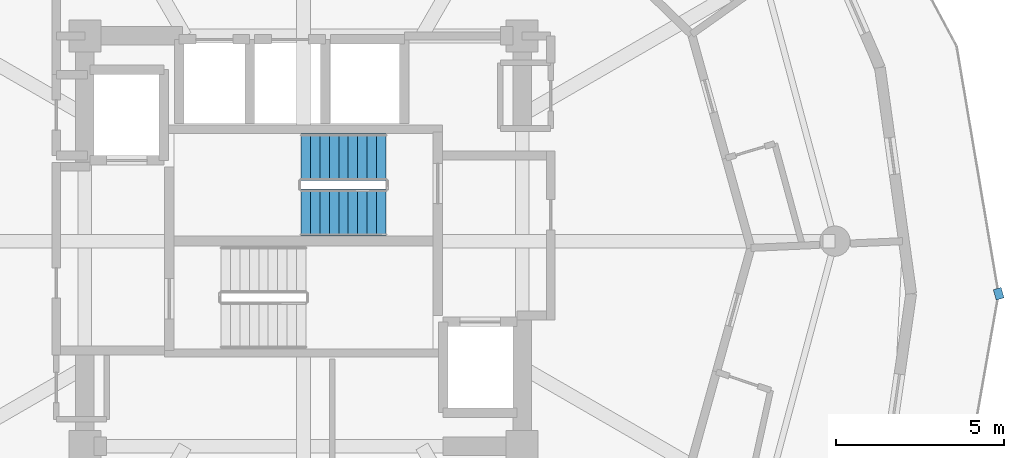
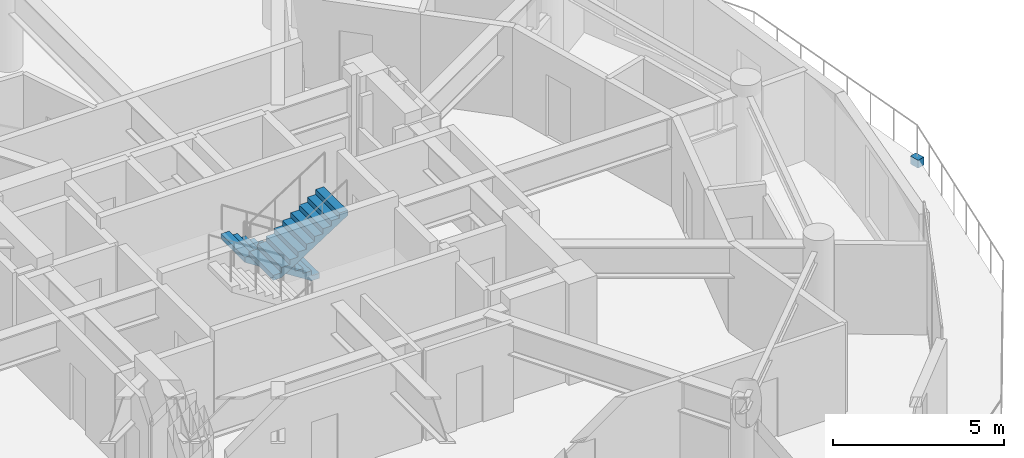
# One storey, part 20 of 22: 2 stair flights, 1 discrete accessory, 1 element without a shape of its own.
"""IFC4 building model written with IfcOpenShell, lengths in metres."""

from ifc_helpers import new_model, si_unit, direction, frame, origin, origin_2d, place, context, subcontext, project, spatial, polyline, rectangle, outline, extrude, material, type_object, element, aggregate, save


model = new_model("IFC4")

# Units and contexts
model_context = context("Model", 3, precision=1e-05, world=origin(), true_north=direction((0.0, 1.0)))
body_context = subcontext(model_context, "Body", "Model", "MODEL_VIEW")
ifc_project = project(units=[si_unit("LENGTHUNIT", "METRE"), si_unit("AREAUNIT", "SQUARE_METRE"), si_unit("VOLUMEUNIT", "CUBIC_METRE"), si_unit("PLANEANGLEUNIT", "RADIAN"), si_unit("MASSUNIT", "GRAM", prefix="KILO")], contexts=[model_context])

# Site, building, storey
site_placement = place(None, origin())
site = spatial("IfcSite", under=ifc_project, at=site_placement, CompositionType="ELEMENT")
building_placement = place(site_placement, origin())
building = spatial("IfcBuilding", under=site, at=building_placement, Name="Solvirekh Grand Hotel", CompositionType="ELEMENT")
storey_placement = place(building_placement, frame((0.0, 0.0, 230.800048828125)))
storey = spatial("IfcBuildingStorey", under=building, at=storey_placement, Name="L60", CompositionType="ELEMENT", Elevation=230.800048828125)

# Stair, stair flights
ifc_material_1 = material(Name="Concrete C40/50", Category="concrete")
stair_type = type_object("IfcStairType", Name="Stair_Core_1450", PredefinedType="HALF_TURN_STAIR", material=ifc_material_1)
stair_placement = place(storey_placement, origin())
stair = element("IfcStair", 1, at=stair_placement, inside=storey, type_object=stair_type, Name="L60 Enclosed exit stair ST-2", PredefinedType="HALF_TURN_STAIR")
stair_flight_type = type_object("IfcStairFlightType", Name="Flight_Core_1450", PredefinedType="STRAIGHT", material=ifc_material_1)
stair_flight_1_placement = place(storey_placement, frame((2.449951171875, 2.5, 0.0), z_axis=(0.0, 0.0, 1.0), x_axis=(-1.0, 0.0, 0.0)))
stair_flight_1 = element("IfcStairFlight", 2, at=stair_flight_1_placement, type_object=stair_flight_type, Name="ST-2 flight 1", NumberOfRisers=10, NumberOfTreads=9, PredefinedType="STRAIGHT", RiserHeight=0.18, TreadLength=0.28, context=body_context, shape_type="SweptSolid", body=[
    extrude(outline(polyline([(0.0, 0.0), (0.0, 0.179931640625), (0.280029296875, 0.179931640625), (0.280029296875, 0.360107421875), (0.56005859375, 0.360107421875), (0.56005859375, 0.5400390625), (0.840087890625, 0.5400390625), (0.840087890625, 0.719970703125), (1.1201171875, 0.719970703125), (1.1201171875, 0.89990234375), (1.39990234375, 0.89990234375), (1.39990234375, 1.080078125), (1.679931640625, 1.080078125), (1.679931640625, 1.260009765625), (1.9599609375, 1.260009765625), (1.9599609375, 1.43994140625), (2.239990234375, 1.43994140625), (2.239990234375, 1.6201171875), (2.52001953125, 1.6201171875), (2.52001953125, 1.800048828125), (2.52001953125, 1.44189453125), (0.277099609375, 0.0), (0.0, 0.0)])), frame((0.0, 0.699951171875, 0.0), z_axis=(0.0, -1.0, 0.0), x_axis=(1.0, 0.0, 0.0)), (0.0, 0.0, 1.0), 1.39990234375),
])
stair_flight_2_placement = place(storey_placement, frame((-0.070068359375, 0.85009765625, 1.800048828125), z_axis=(0.0, 0.0, 1.0), x_axis=(1.0, 0.0, 0.0)))
stair_flight_2 = element("IfcStairFlight", 3, at=stair_flight_2_placement, type_object=stair_flight_type, Name="ST-2 flight 2", NumberOfRisers=10, NumberOfTreads=9, PredefinedType="STRAIGHT", RiserHeight=0.18, TreadLength=0.28, context=body_context, shape_type="SweptSolid", body=[
    extrude(outline(polyline([(0.0, 0.0), (0.0, 0.179931640625), (0.280029296875, 0.179931640625), (0.280029296875, 0.360107421875), (0.56005859375, 0.360107421875), (0.56005859375, 0.5400390625), (0.840087890625, 0.5400390625), (0.840087890625, 0.719970703125), (1.1201171875, 0.719970703125), (1.1201171875, 0.89990234375), (1.39990234375, 0.89990234375), (1.39990234375, 1.080078125), (1.679931640625, 1.080078125), (1.679931640625, 1.260009765625), (1.9599609375, 1.260009765625), (1.9599609375, 1.43994140625), (2.239990234375, 1.43994140625), (2.239990234375, 1.6201171875), (2.52001953125, 1.6201171875), (2.52001953125, 1.800048828125), (2.52001953125, 1.44189453125), (0.277099609375, 0.0), (0.0, 0.0)])), frame((0.0, 0.699951171875, 0.0), z_axis=(0.0, -1.0, 0.0), x_axis=(1.0, 0.0, 0.0)), (0.0, 0.0, 1.0), 1.39990234375),
])
aggregate(stair, [stair_flight_1, stair_flight_2])

# Discrete accessory
ifc_material_2 = material(Name="Steel S355", Category="steel")
discrete_accessory_type = type_object("IfcDiscreteAccessoryType", Name="Acc_ThermalBracket", PredefinedType="BRACKET", material=ifc_material_2)
discrete_accessory_placement = place(storey_placement, frame((20.666015625, -1.56396484375, -0.2802734375), z_axis=(0.0, 0.0, 1.0), x_axis=(0.272280247041, -0.962217993529, 0.0)))
element("IfcDiscreteAccessory", 4, at=discrete_accessory_placement, inside=storey, type_object=discrete_accessory_type, Name="L60 balcony thermal-break bracket", PredefinedType="BRACKET", context=body_context, shape_type="SweptSolid", body=[
    extrude(rectangle(XDim=0.320068359375, YDim=0.239990234375, at=origin_2d()), origin(), (0.0, 0.0, 1.0), 0.280029296875),
])

save(model, "model.ifc")
